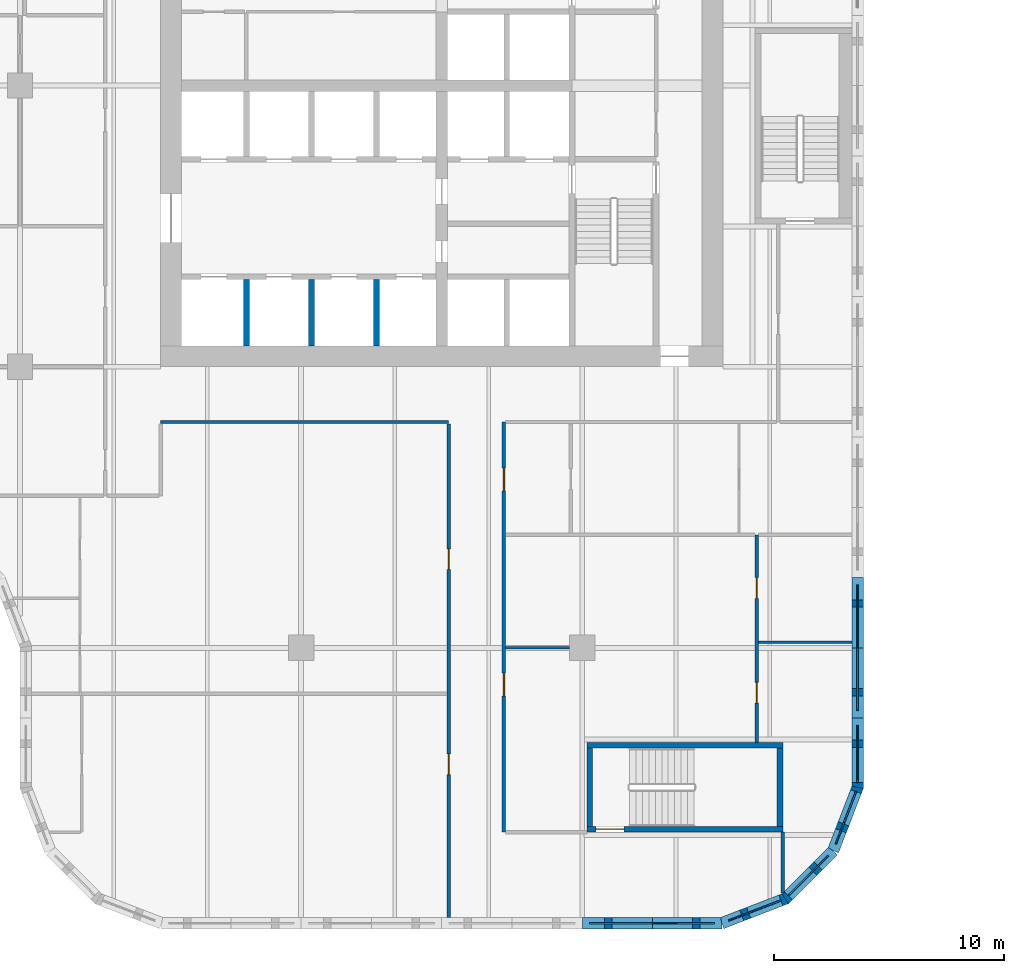
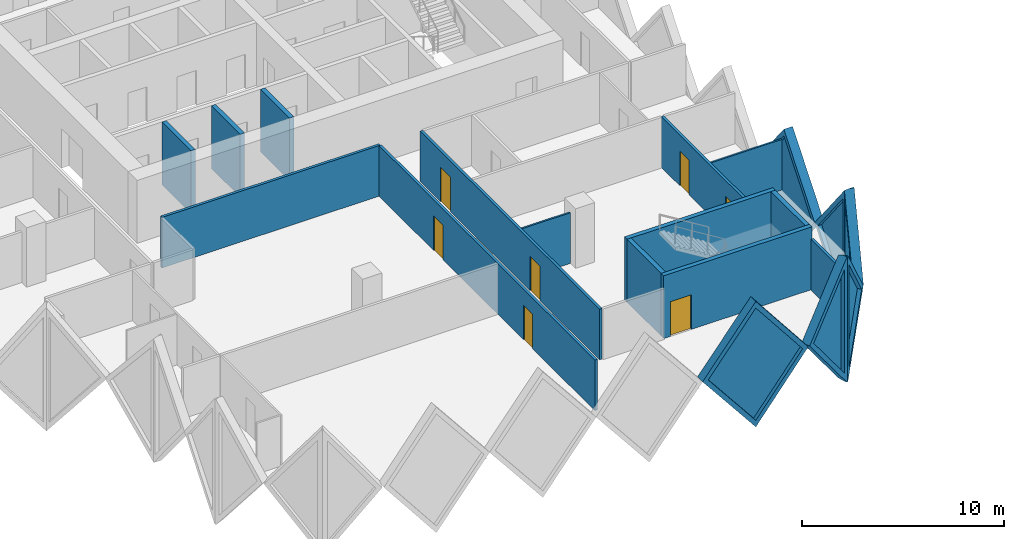
# One storey, part 6 of 19: 20 walls, 7 doors, 6 plates, 13 openings.
"""IFC4 building model written with IfcOpenShell, lengths in metres."""

from ifc_helpers import new_model, si_unit, direction, frame, frame_2d, origin, place, context, subcontext, project, spatial, polyline, rectangle, outline, extrude, faceted_brep, source, transform, mapped, material, layer, layer_set, type_object, element, fill, save


model = new_model("IFC4")

# Units and contexts
model_context = context("Model", 3, precision=1e-05, world=origin(), true_north=direction((0.0, 1.0)))
body_context = subcontext(model_context, "Body", "Model", "MODEL_VIEW")
ifc_project = project(units=[si_unit("LENGTHUNIT", "METRE"), si_unit("AREAUNIT", "SQUARE_METRE"), si_unit("VOLUMEUNIT", "CUBIC_METRE"), si_unit("PLANEANGLEUNIT", "RADIAN"), si_unit("MASSUNIT", "GRAM", prefix="KILO")], contexts=[model_context])

# Site, building, storey
site_placement = place(None, origin())
site = spatial("IfcSite", under=ifc_project, at=site_placement, CompositionType="ELEMENT")
building_placement = place(site_placement, origin())
building = spatial("IfcBuilding", under=site, at=building_placement, Name="Tessera Gate Towers", CompositionType="ELEMENT")
storey_placement = place(building_placement, frame((0.0, 0.0, 29.60009765625)))
storey = spatial("IfcBuildingStorey", under=building, at=storey_placement, Name="L06", CompositionType="ELEMENT", Elevation=29.60009765625)

# Walls
ifc_material_1 = material(Name="Concrete C40/50", Category="concrete")
ifc_layer_1 = layer(ifc_material_1, 0.25)
ifc_layer_set_1 = layer_set([ifc_layer_1], Name="CORE ENCLOSURE WALL 250")
wall_type_1 = type_object("IfcWallType", Name="CORE ENCLOSURE WALL 250", PredefinedType="SOLIDWALL", material=ifc_layer_set_1)
for number, where, z_axis, x_axis, name in (
    (1, (34.22509765625, 25.300048828125, 0.0), (0.0, 0.0, 1.0), (0.0, 1.0, 0.0), "L06 shaft and stair enclosure wall"),
    (2, (37.050048828125, 25.300048828125, 0.0), (0.0, 0.0, 1.0), (0.0, 1.0, 0.0), "L06 shaft and stair enclosure wall"),
    (3, (39.875, 25.300048828125, 0.0), (0.0, 0.0, 1.0), (0.0, 1.0, 0.0), "L06 shaft and stair enclosure wall"),
):
    element("IfcWall", number, at=place(storey_placement, frame(where, z_axis=z_axis, x_axis=x_axis)), inside=storey, type_object=wall_type_1, Name=name, PredefinedType="SOLIDWALL", context=body_context, shape_type="SweptSolid", body=[
        extrude(rectangle(XDim=2.875, YDim=0.25, at=frame_2d((1.4375, 0.0))), origin(), (0.0, 0.0, 1.0), 3.7998046875),
    ])

# Wall, opening, door
wall_1_placement = place(storey_placement, frame((57.5, 4.324951171875, 0.0), z_axis=(0.0, 0.0, 1.0), x_axis=(-1.0, 0.0, 0.0)))
wall_1 = element("IfcWall", 4, at=wall_1_placement, inside=storey, type_object=wall_type_1, Name="L06 ST4 enclosure wall", PredefinedType="SOLIDWALL", context=body_context, shape_type="SweptSolid", body=[
    extrude(rectangle(XDim=8.5, YDim=0.25, at=frame_2d((4.25, 0.0))), origin(), (0.0, 0.0, 1.0), 3.7998046875),
])
shared_shape_1 = source(origin(), body_context, "Body", "SweptSolid", [
    extrude(rectangle(XDim=1.199951171875, YDim=2.10009765625, at=frame_2d((0.60009765625, 1.050048828125))), frame((0.0, 0.135009765625, 0.0), z_axis=(0.0, -1.0, 0.0), x_axis=(1.0, 0.0, 0.0)), (0.0, 0.0, 1.0), 0.27001953125),
])
opening_1_placement = place(wall_1_placement, frame((6.89990234375, 0.0, 0.0)))
opening_1 = element("IfcOpeningElement", 5, at=opening_1_placement, cuts=wall_1, Name="Opening SD-ST4-1", PredefinedType="OPENING", context=body_context, shape_type="MappedRepresentation", body=[
    mapped(shared_shape_1, transform((0.0, 0.0, 0.0), scale=1.0)),
])
ifc_material_2 = material(Name="Hollow steel fire door", Category="steel")
door_type_1 = type_object("IfcDoorType", Name="CORE DOOR SD 1200x2100", OperationType="NOTDEFINED", PredefinedType="DOOR", material=ifc_material_2)
shared_shape_2 = source(origin(), body_context, "Body", "SweptSolid", [
    extrude(rectangle(XDim=1.199951171875, YDim=2.10009765625, at=frame_2d((0.60009765625, 1.050048828125))), frame((0.0, 0.02490234375, 0.0), z_axis=(0.0, -1.0, 0.0), x_axis=(1.0, 0.0, 0.0)), (0.0, 0.0, 1.0), 0.050048828125),
])
door_1_placement = place(opening_1_placement, origin())
door_1 = element("IfcDoor", 6, at=door_1_placement, inside=storey, type_object=door_type_1, Name="Stair door", OperationType="SINGLE_SWING_RIGHT", OverallHeight=2.10009765625, OverallWidth=1.199951171875, PredefinedType="DOOR", context=body_context, shape_type="MappedRepresentation", body=[
    mapped(shared_shape_2, transform((0.0, 0.0, 0.0), scale=1.0)),
])
fill(opening_1, door_1)

# Walls
wall_2_placement = place(storey_placement, frame((49.125, 4.449951171875, 0.0), z_axis=(0.0, 0.0, 1.0), x_axis=(0.0, 1.0, 0.0)))
element("IfcWall", 7, at=wall_2_placement, inside=storey, type_object=wall_type_1, Name="L06 ST4 enclosure wall", PredefinedType="SOLIDWALL", context=body_context, shape_type="SweptSolid", body=[
    extrude(rectangle(XDim=3.400146484375, YDim=0.25, at=frame_2d((1.7001953125, 0.0))), origin(), (0.0, 0.0, 1.0), 3.7998046875),
])
wall_3_placement = place(storey_placement, frame((49.0, 7.97509765625, 0.0), z_axis=(0.0, 0.0, 1.0), x_axis=(1.0, 0.0, 0.0)))
element("IfcWall", 8, at=wall_3_placement, inside=storey, type_object=wall_type_1, Name="L06 ST4 enclosure wall", PredefinedType="SOLIDWALL", context=body_context, shape_type="SweptSolid", body=[
    extrude(rectangle(XDim=8.5, YDim=0.25, at=frame_2d((4.25, 0.0))), origin(), (0.0, 0.0, 1.0), 3.7998046875),
])
wall_4_placement = place(storey_placement, frame((57.375, 7.85009765625, 0.0), z_axis=(0.0, 0.0, 1.0), x_axis=(0.0, -1.0, 0.0)))
element("IfcWall", 9, at=wall_4_placement, inside=storey, type_object=wall_type_1, Name="L06 ST4 enclosure wall", PredefinedType="SOLIDWALL", context=body_context, shape_type="SweptSolid", body=[
    extrude(rectangle(XDim=3.400146484375, YDim=0.25, at=frame_2d((1.7001953125, 0.0))), origin(), (0.0, 0.0, 1.0), 3.7998046875),
])

# Wall, openings, doors
ifc_material_3 = material(Name="Gypsum board on steel studs, mineral wool", Category="steel")
ifc_layer_2 = layer(ifc_material_3, 0.14990234375)
ifc_layer_set_2 = layer_set([ifc_layer_2], Name="CORRIDOR WALL 150")
wall_type_2 = type_object("IfcWallType", Name="CORRIDOR WALL 150", PredefinedType="PARTITIONING", material=ifc_layer_set_2)
wall_5_placement = place(storey_placement, frame((43.0, 0.5, 0.0), z_axis=(0.0, 0.0, 1.0), x_axis=(0.0, 1.0, 0.0)))
wall_5 = element("IfcWall", 10, at=wall_5_placement, inside=storey, type_object=wall_type_2, Name="T1-L06-PW-001", PredefinedType="PARTITIONING", context=body_context, shape_type="SweptSolid", body=[
    extrude(rectangle(XDim=21.424072265625, YDim=0.14990234375, at=frame_2d((10.7119140625, 0.0))), origin(), (0.0, 0.0, 1.0), 3.06689453125),
])
shared_shape_3 = source(origin(), body_context, "Body", "SweptSolid", [
    extrude(rectangle(XDim=0.89990234375, YDim=2.10009765625, at=frame_2d((0.449951171875, 1.050048828125))), frame((0.0, 0.0849609375, 0.0), z_axis=(0.0, -1.0, 0.0), x_axis=(1.0, 0.0, 0.0)), (0.0, 0.0, 1.0), 0.169921875),
])
opening_2_placement = place(wall_5_placement, frame((6.199951171875, 0.0, 0.0)))
opening_2 = element("IfcOpeningElement", 11, at=opening_2_placement, cuts=wall_5, Name="Opening D890FD60-A02-02", PredefinedType="OPENING", context=body_context, shape_type="MappedRepresentation", body=[
    mapped(shared_shape_3, transform((0.0, 0.0, 0.0), scale=1.0)),
])
opening_3_placement = place(wall_5_placement, frame((15.10009765625, 0.0, 0.0)))
opening_3 = element("IfcOpeningElement", 12, at=opening_3_placement, cuts=wall_5, Name="Opening D890FD60-A02-06", PredefinedType="OPENING", context=body_context, shape_type="MappedRepresentation", body=[
    mapped(shared_shape_3, transform((0.0, 0.0, 0.0), scale=1.0)),
])
ifc_material_4 = material(Name="Timber door leaf in steel frame", Category="steel")
door_type_2 = type_object("IfcDoorType", Name="CORRIDOR DOOR 900 FD60", OperationType="NOTDEFINED", PredefinedType="DOOR", material=ifc_material_4)
shared_shape_4 = source(origin(), body_context, "Body", "SweptSolid", [
    extrude(rectangle(XDim=0.89990234375, YDim=2.10009765625, at=frame_2d((0.449951171875, 1.050048828125))), frame((0.0, 0.02490234375, 0.0), z_axis=(0.0, -1.0, 0.0), x_axis=(1.0, 0.0, 0.0)), (0.0, 0.0, 1.0), 0.050048828125),
])
door_2_placement = place(opening_2_placement, origin())
door_2 = element("IfcDoor", 13, at=door_2_placement, inside=storey, type_object=door_type_2, Name="T1-L06-PD-019", OperationType="SINGLE_SWING_LEFT", OverallHeight=2.10009765625, OverallWidth=0.89990234375, PredefinedType="DOOR", context=body_context, shape_type="MappedRepresentation", body=[
    mapped(shared_shape_4, transform((0.0, 0.0, 0.0), scale=1.0)),
])
fill(opening_2, door_2)
door_3_placement = place(opening_3_placement, origin())
door_3 = element("IfcDoor", 14, at=door_3_placement, inside=storey, type_object=door_type_2, Name="T1-L06-PD-027", OperationType="SINGLE_SWING_LEFT", OverallHeight=2.10009765625, OverallWidth=0.89990234375, PredefinedType="DOOR", context=body_context, shape_type="MappedRepresentation", body=[
    mapped(shared_shape_4, transform((0.0, 0.0, 0.0), scale=1.0)),
])
fill(opening_3, door_3)

# Wall
wall_6_placement = place(storey_placement, frame((57.5, 1.55908203125, 0.0), z_axis=(0.0, 0.0, 1.0), x_axis=(0.0, 1.0, 0.0)))
element("IfcWall", 15, at=wall_6_placement, inside=storey, type_object=wall_type_2, Name="T1-L06-PW-002", PredefinedType="PARTITIONING", context=body_context, shape_type="SweptSolid", body=[
    extrude(rectangle(XDim=2.640869140625, YDim=0.14990234375, at=frame_2d((1.3203125, 0.0))), origin(), (0.0, 0.0, 1.0), 3.06689453125),
])

# Wall, openings, doors
wall_7_placement = place(storey_placement, frame((45.39990234375, 22.0, 0.0), z_axis=(0.0, 0.0, 1.0), x_axis=(0.0, -1.0, 0.0)))
wall_7 = element("IfcWall", 16, at=wall_7_placement, inside=storey, type_object=wall_type_2, Name="T1-L06-PW-005", PredefinedType="PARTITIONING", context=body_context, shape_type="SweptSolid", body=[
    extrude(rectangle(XDim=17.800048828125, YDim=0.14990234375, at=frame_2d((8.89990234375, 0.0))), origin(), (0.0, 0.0, 1.0), 3.06689453125),
])
shared_shape_5 = source(origin(), body_context, "Body", "SweptSolid", [
    extrude(rectangle(XDim=1.0, YDim=2.10009765625, at=frame_2d((0.5, 1.050048828125))), frame((0.0, 0.0849609375, 0.0), z_axis=(0.0, -1.0, 0.0), x_axis=(1.0, 0.0, 0.0)), (0.0, 0.0, 1.0), 0.169921875),
])
opening_4_placement = place(wall_7_placement, frame((1.9990234375, 0.0, 0.0)))
opening_4 = element("IfcOpeningElement", 17, at=opening_4_placement, cuts=wall_7, Name="Opening D2100FD60-A02-02", PredefinedType="OPENING", context=body_context, shape_type="MappedRepresentation", body=[
    mapped(shared_shape_5, transform((0.0, 0.0, 0.0), scale=1.0)),
])
opening_5_placement = place(wall_7_placement, frame((10.89990234375, 0.0, 0.0)))
opening_5 = element("IfcOpeningElement", 18, at=opening_5_placement, cuts=wall_7, Name="Opening D2100FD60-A02-07", PredefinedType="OPENING", context=body_context, shape_type="MappedRepresentation", body=[
    mapped(shared_shape_5, transform((0.0, 0.0, 0.0), scale=1.0)),
])
ifc_material_5 = material(Name="Timber door leaf in steel frame", Category="steel")
door_type_3 = type_object("IfcDoorType", Name="TENANCY ENTRANCE DOOR 1000 FD60", OperationType="NOTDEFINED", PredefinedType="DOOR", material=ifc_material_5)
shared_shape_6 = source(origin(), body_context, "Body", "SweptSolid", [
    extrude(rectangle(XDim=1.0, YDim=2.10009765625, at=frame_2d((0.5, 1.050048828125))), frame((0.0, 0.02490234375, 0.0), z_axis=(0.0, -1.0, 0.0), x_axis=(1.0, 0.0, 0.0)), (0.0, 0.0, 1.0), 0.050048828125),
])
door_4_placement = place(opening_4_placement, origin())
door_4 = element("IfcDoor", 19, at=door_4_placement, inside=storey, type_object=door_type_3, Name="T1-L06-PD-013", OperationType="SINGLE_SWING_RIGHT", OverallHeight=2.10009765625, OverallWidth=1.0, PredefinedType="DOOR", context=body_context, shape_type="MappedRepresentation", body=[
    mapped(shared_shape_6, transform((0.0, 0.0, 0.0), scale=1.0)),
])
fill(opening_4, door_4)
door_5_placement = place(opening_5_placement, origin())
door_5 = element("IfcDoor", 20, at=door_5_placement, inside=storey, type_object=door_type_3, Name="T1-L06-PD-031", OperationType="SINGLE_SWING_RIGHT", OverallHeight=2.10009765625, OverallWidth=1.0, PredefinedType="DOOR", context=body_context, shape_type="MappedRepresentation", body=[
    mapped(shared_shape_6, transform((0.0, 0.0, 0.0), scale=1.0)),
])
fill(opening_5, door_5)

# Walls
wall_8_placement = place(storey_placement, frame((30.5, 22.0, 0.0), z_axis=(0.0, 0.0, 1.0), x_axis=(1.0, 0.0, 0.0)))
element("IfcWall", 21, at=wall_8_placement, inside=storey, type_object=wall_type_2, Name="T1-L06-PW-024", PredefinedType="PARTITIONING", context=body_context, shape_type="SweptSolid", body=[
    extrude(rectangle(XDim=12.5, YDim=0.14990234375, at=frame_2d((6.25, 0.0))), origin(), (0.0, 0.0, 1.0), 3.06689453125),
])
ifc_material_6 = material(Name="Gypsum board on steel studs", Category="steel")
ifc_layer_3 = layer(ifc_material_6, 0.10009765625)
ifc_layer_set_3 = layer_set([ifc_layer_3], Name="PARTITION 100")
wall_type_3 = type_object("IfcWallType", Name="PARTITION 100", PredefinedType="PARTITIONING", material=ifc_layer_set_3)
wall_9_placement = place(storey_placement, frame((48.25, 12.199951171875, 0.0), z_axis=(0.0, 0.0, 1.0), x_axis=(-1.0, 0.0, 0.0)))
element("IfcWall", 22, at=wall_9_placement, inside=storey, type_object=wall_type_3, Name="T1-L06-PW-011", PredefinedType="PARTITIONING", context=body_context, shape_type="SweptSolid", body=[
    extrude(rectangle(XDim=2.77490234375, YDim=0.10009765625, at=frame_2d((1.387451171875, 0.0))), origin(), (0.0, 0.0, 1.0), 3.06689453125),
])
wall_10_placement = place(storey_placement, frame((56.450927734375, 12.447998046875, 0.0), z_axis=(0.0, 0.0, 1.0), x_axis=(1.0, 0.0, 0.0)))
element("IfcWall", 23, at=wall_10_placement, inside=storey, type_object=wall_type_3, Name="T1-L06-PW-012", PredefinedType="PARTITIONING", context=body_context, shape_type="SweptSolid", body=[
    extrude(rectangle(XDim=4.049072265625, YDim=0.10009765625, at=frame_2d((2.0244140625, 0.0))), origin(), (0.0, 0.0, 1.0), 3.06689453125),
])

# Wall, openings, doors
ifc_material_7 = material(Name="Gypsum board on steel studs, mineral wool", Category="steel")
ifc_layer_4 = layer(ifc_material_7, 0.14990234375)
ifc_layer_set_4 = layer_set([ifc_layer_4], Name="TENANCY WALL 150")
wall_type_4 = type_object("IfcWallType", Name="TENANCY WALL 150", PredefinedType="PARTITIONING", material=ifc_layer_set_4)
wall_11_placement = place(storey_placement, frame((56.375, 17.10009765625, 0.0), z_axis=(0.0, 0.0, 1.0), x_axis=(0.0, -1.0, 0.0)))
wall_11 = element("IfcWall", 24, at=wall_11_placement, inside=storey, type_object=wall_type_4, Name="T1-L06-PW-007", PredefinedType="PARTITIONING", context=body_context, shape_type="SweptSolid", body=[
    extrude(rectangle(XDim=9.0, YDim=0.14990234375, at=frame_2d((4.5, 0.0))), origin(), (0.0, 0.0, 1.0), 3.06689453125),
])
opening_6_placement = place(wall_11_placement, frame((6.39990234375, 0.0, 0.0)))
opening_6 = element("IfcOpeningElement", 25, at=opening_6_placement, cuts=wall_11, Name="Opening D190-A02-05", PredefinedType="OPENING", context=body_context, shape_type="MappedRepresentation", body=[
    mapped(shared_shape_3, transform((0.0, 0.0, 0.0), scale=1.0)),
])
opening_7_placement = place(wall_11_placement, frame((1.852294921875, 0.0, 0.0)))
opening_7 = element("IfcOpeningElement", 26, at=opening_7_placement, cuts=wall_11, Name="Opening D190-A02-07", PredefinedType="OPENING", context=body_context, shape_type="MappedRepresentation", body=[
    mapped(shared_shape_3, transform((0.0, 0.0, 0.0), scale=1.0)),
])
ifc_material_8 = material(Name="Timber door leaf in steel frame", Category="steel")
door_type_4 = type_object("IfcDoorType", Name="INTERNAL DOOR 900 NOT RATED", OperationType="NOTDEFINED", PredefinedType="DOOR", material=ifc_material_8)
door_6_placement = place(opening_6_placement, origin())
door_6 = element("IfcDoor", 27, at=door_6_placement, inside=storey, type_object=door_type_4, Name="T1-L06-PD-006", OperationType="SINGLE_SWING_RIGHT", OverallHeight=2.10009765625, OverallWidth=0.89990234375, PredefinedType="DOOR", context=body_context, shape_type="MappedRepresentation", body=[
    mapped(shared_shape_4, transform((0.0, 0.0, 0.0), scale=1.0)),
])
fill(opening_6, door_6)
door_7_placement = place(opening_7_placement, origin())
door_7 = element("IfcDoor", 28, at=door_7_placement, inside=storey, type_object=door_type_4, Name="T1-L06-PD-008", OperationType="SINGLE_SWING_RIGHT", OverallHeight=2.10009765625, OverallWidth=0.89990234375, PredefinedType="DOOR", context=body_context, shape_type="MappedRepresentation", body=[
    mapped(shared_shape_4, transform((0.0, 0.0, 0.0), scale=1.0)),
])
fill(opening_7, door_7)

# Wall, opening, plate
ifc_material_9 = material(Name="Precast concrete C60/75 white", Category="concrete")
ifc_layer_5 = layer(ifc_material_9, 0.5)
ifc_layer_set_5 = layer_set([ifc_layer_5], Name="TS1 tessera")
wall_type_5 = type_object("IfcWallType", Name="TS1 tessera", PredefinedType="SOLIDWALL", material=ifc_layer_set_5)
shared_shape_7 = source(origin(), body_context, "Body", "SweptSolid", [
    extrude(outline(polyline([(3.050048828125, 0.0), (6.10009765625, 3.800048828125), (3.050048828125, 7.599853515625), (0.0, 3.800048828125), (3.050048828125, 0.0)])), frame((0.0, 0.25, 0.0), z_axis=(0.0, -1.0, 0.0), x_axis=(1.0, 0.0, 0.0)), (0.0, 0.0, 1.0), 0.5),
])
wall_12_placement = place(storey_placement, frame((60.75, 9.14990234375, -3.800048828125), z_axis=(0.0, 0.0, 1.0), x_axis=(0.0, 1.0, 0.0)))
wall_12 = element("IfcWall", 29, at=wall_12_placement, inside=storey, type_object=wall_type_5, Name="Precast tessera T1 TS1-0027", PredefinedType="SOLIDWALL", context=body_context, shape_type="MappedRepresentation", body=[
    mapped(shared_shape_7, transform((0.0, 0.0, 0.0), scale=1.0)),
])
shared_shape_8 = source(origin(), body_context, "Body", "SweptSolid", [
    extrude(outline(polyline([(3.050048828125, 0.3994140625), (5.779541015625, 3.800048828125), (3.050048828125, 7.200439453125), (0.320556640625, 3.800048828125), (3.050048828125, 0.3994140625)])), frame((0.0, 0.260009765625, 0.0), z_axis=(0.0, -1.0, 0.0), x_axis=(1.0, 0.0, 0.0)), (0.0, 0.0, 1.0), 0.52001953125),
])
opening_8_placement = place(wall_12_placement, origin())
opening_8 = element("IfcOpeningElement", 30, at=opening_8_placement, cuts=wall_12, Name="Opening T1-PL2-0055", PredefinedType="OPENING", context=body_context, shape_type="MappedRepresentation", body=[
    mapped(shared_shape_8, transform((0.0, 0.0, 0.0), scale=1.0)),
])
ifc_material_10 = material(Name="Low-e laminated glass", Category="glass")
ifc_layer_6 = layer(ifc_material_10, 0.06005859375)
ifc_layer_set_6 = layer_set([ifc_layer_6], Name="PL2 rhombic pane")
plate_type = type_object("IfcPlateType", Name="PL2 rhombic pane", PredefinedType="SHEET", material=ifc_layer_set_6)
shared_shape_9 = source(origin(), body_context, "Body", "SweptSolid", [
    extrude(outline(polyline([(3.050048828125, 0.3994140625), (5.779541015625, 3.800048828125), (3.050048828125, 7.200439453125), (0.320556640625, 3.800048828125), (3.050048828125, 0.3994140625)])), frame((0.0, 0.030029296875, 0.0), z_axis=(0.0, -1.0, 0.0), x_axis=(1.0, 0.0, 0.0)), (0.0, 0.0, 1.0), 0.06005859375),
])
plate_1_placement = place(opening_8_placement, origin())
plate_1 = element("IfcPlate", 31, at=plate_1_placement, inside=storey, type_object=plate_type, Name="Glass pane T1 PL2-0055", PredefinedType="SHEET", context=body_context, shape_type="MappedRepresentation", body=[
    mapped(shared_shape_9, transform((0.0, 0.0, 0.0), scale=1.0)),
])
fill(opening_8, plate_1)

shared_shape_10 = source(origin(), body_context, "Body", "Brep", [
    faceted_brep([(3.050048828125, -0.25, 0.0), (6.053466796875, -0.25, 3.800048828125), (3.050048828125, -0.25, 7.599853515625), (0.0, -0.25, 3.800048828125), (0.0, 0.25, 3.800048828125), (3.050048828125, 0.25, 7.599853515625), (6.0068359375, 0.25, 3.85888671875), (6.0068359375, 0.25, 3.7412109375), (3.050048828125, 0.25, 0.0), (6.053466796875, 0.0, 3.800048828125)], [[[0, 1, 2, 3]], [[4, 5, 6, 7, 8]], [[8, 7, 9, 1, 0]], [[6, 5, 2, 1, 9]], [[5, 4, 3, 2]], [[4, 8, 0, 3]], [[7, 6, 9]]]),
])
wall_13_placement = place(storey_placement, frame((48.800048828125, 0.25, -3.800048828125), z_axis=(0.0, 0.0, 1.0), x_axis=(1.0, 0.0, 0.0)))
wall_13 = element("IfcWall", 32, at=wall_13_placement, inside=storey, type_object=wall_type_5, Name="Precast tessera T1 TS1-0026", PredefinedType="SOLIDWALL", context=body_context, shape_type="MappedRepresentation", body=[
    mapped(shared_shape_10, transform((0.0, 0.0, 0.0), scale=1.0)),
])
shared_shape_11 = source(origin(), body_context, "Body", "SweptSolid", [
    extrude(outline(polyline([(3.048583984375, 0.401123046875), (5.73486328125, 3.800048828125), (3.048583984375, 7.19873046875), (0.320556640625, 3.800048828125), (3.048583984375, 0.401123046875)])), frame((0.0, 0.260009765625, 0.0), z_axis=(0.0, -1.0, 0.0), x_axis=(1.0, 0.0, 0.0)), (0.0, 0.0, 1.0), 0.52001953125),
])
opening_9_placement = place(wall_13_placement, origin())
opening_9 = element("IfcOpeningElement", 33, at=opening_9_placement, cuts=wall_13, Name="Opening T1-PL2-0050", PredefinedType="OPENING", context=body_context, shape_type="MappedRepresentation", body=[
    mapped(shared_shape_11, transform((0.0, 0.0, 0.0), scale=1.0)),
])
shared_shape_12 = source(origin(), body_context, "Body", "SweptSolid", [
    extrude(outline(polyline([(3.048583984375, 0.401123046875), (5.73486328125, 3.800048828125), (3.048583984375, 7.19873046875), (0.320556640625, 3.800048828125), (3.048583984375, 0.401123046875)])), frame((0.0, 0.030029296875, 0.0), z_axis=(0.0, -1.0, 0.0), x_axis=(1.0, 0.0, 0.0)), (0.0, 0.0, 1.0), 0.06005859375),
])
plate_2_placement = place(opening_9_placement, origin())
plate_2 = element("IfcPlate", 34, at=plate_2_placement, inside=storey, type_object=plate_type, Name="Glass pane T1 PL2-0050", PredefinedType="SHEET", context=body_context, shape_type="MappedRepresentation", body=[
    mapped(shared_shape_12, transform((0.0, 0.0, 0.0), scale=1.0)),
])
fill(opening_9, plate_2)

ifc_material_11 = material(Name="Precast concrete C60/75 white", Category="concrete")
ifc_layer_7 = layer(ifc_material_11, 0.5)
ifc_layer_set_7 = layer_set([ifc_layer_7], Name="TS3 corner tessera")
wall_type_6 = type_object("IfcWallType", Name="TS3 corner tessera", PredefinedType="SOLIDWALL", material=ifc_layer_set_7)
shared_shape_13 = source(origin(), body_context, "Body", "Brep", [
    faceted_brep([(2.950439453125, -0.25, 0.0), (3.00341796875, -0.25, 0.068359375), (3.00341796875, -0.25, 7.531494140625), (2.950439453125, -0.25, 7.599853515625), (0.0, -0.25, 3.800048828125), (0.046630859375, 0.25, 3.860107421875), (2.897705078125, 0.25, 7.53173828125), (2.897705078125, 0.25, 0.068115234375), (0.046630859375, 0.25, 3.739990234375), (2.950439453125, 0.00048828125, 0.0), (2.950439453125, 0.00048828125, 7.599853515625), (0.0, 0.0, 3.800048828125)], [[[0, 1, 2, 3, 4]], [[5, 6, 7, 8]], [[1, 0, 9]], [[10, 3, 2]], [[6, 5, 11, 4, 3, 10]], [[8, 7, 9, 0, 4, 11]], [[8, 11, 5]], [[1, 9, 7, 6, 10, 2]]]),
])
wall_14_placement = place(storey_placement, frame((54.853515625, 0.25, -3.800048828125), z_axis=(0.0, 0.0, 1.0), x_axis=(0.932970071518, 0.359953949349, 0.0)))
wall_14 = element("IfcWall", 35, at=wall_14_placement, inside=storey, type_object=wall_type_6, Name="Precast corner tessera T1 TS3-0097", PredefinedType="SOLIDWALL", context=body_context, shape_type="MappedRepresentation", body=[
    mapped(shared_shape_13, transform((0.0, 0.0, 0.0), scale=1.0)),
])
shared_shape_14 = source(origin(), body_context, "Body", "SweptSolid", [
    extrude(outline(polyline([(2.75048828125, 6.934814453125), (0.31640625, 3.800048828125), (2.75048828125, 0.665283203125), (2.75048828125, 6.934814453125)])), frame((0.0, 0.260009765625, 0.0), z_axis=(0.0, -1.0, 0.0), x_axis=(1.0, 0.0, 0.0)), (0.0, 0.0, 1.0), 0.52001953125),
])
opening_10_placement = place(wall_14_placement, origin())
opening_10 = element("IfcOpeningElement", 36, at=opening_10_placement, cuts=wall_14, Name="Opening T1-PL2-0051", PredefinedType="OPENING", context=body_context, shape_type="MappedRepresentation", body=[
    mapped(shared_shape_14, transform((0.0, 0.0, 0.0), scale=1.0)),
])
shared_shape_15 = source(origin(), body_context, "Body", "SweptSolid", [
    extrude(outline(polyline([(2.75048828125, 6.934814453125), (0.31640625, 3.800048828125), (2.75048828125, 0.665283203125), (2.75048828125, 6.934814453125)])), frame((0.0, 0.030029296875, 0.0), z_axis=(0.0, -1.0, 0.0), x_axis=(1.0, 0.0, 0.0)), (0.0, 0.0, 1.0), 0.06005859375),
])
plate_3_placement = place(opening_10_placement, origin())
plate_3 = element("IfcPlate", 37, at=plate_3_placement, inside=storey, type_object=plate_type, Name="Glass pane T1 PL2-0051", PredefinedType="SHEET", context=body_context, shape_type="MappedRepresentation", body=[
    mapped(shared_shape_15, transform((0.0, 0.0, 0.0), scale=1.0)),
])
fill(opening_10, plate_3)

shared_shape_16 = source(origin(), body_context, "Body", "Brep", [
    faceted_brep([(0.052978515625, -0.25, 0.0), (2.9970703125, -0.25, 3.800048828125), (0.052978515625, -0.25, 7.599853515625), (0.0, -0.25, 7.53173828125), (0.0, -0.25, 0.068115234375), (0.10595703125, 0.25, 7.531494140625), (2.944091796875, 0.25, 3.8681640625), (2.944091796875, 0.25, 3.73193359375), (0.10595703125, 0.25, 0.068359375), (2.9970703125, 0.000244140625, 3.800048828125), (0.052978515625, 0.0, 0.0), (0.052978515625, 0.0, 7.599853515625)], [[[0, 1, 2, 3, 4]], [[5, 6, 7, 8]], [[8, 7, 9, 1, 0, 10]], [[6, 5, 11, 2, 1, 9]], [[3, 2, 11]], [[10, 0, 4]], [[8, 10, 4, 3, 11, 5]], [[7, 6, 9]]]),
])
wall_15_placement = place(storey_placement, frame((57.56884765625, 1.2744140625, -3.800048828125), z_axis=(0.0, 0.0, 1.0), x_axis=(0.707066050402, 0.707147509625, 0.0)))
wall_15 = element("IfcWall", 38, at=wall_15_placement, inside=storey, type_object=wall_type_6, Name="Precast corner tessera T1 TS3-0098", PredefinedType="SOLIDWALL", context=body_context, shape_type="MappedRepresentation", body=[
    mapped(shared_shape_16, transform((0.0, 0.0, 0.0), scale=1.0)),
])
shared_shape_17 = source(origin(), body_context, "Body", "SweptSolid", [
    extrude(outline(polyline([(0.2529296875, 0.666259765625), (2.680908203125, 3.800048828125), (0.2529296875, 6.93359375), (0.2529296875, 0.666259765625)])), frame((0.0, 0.260009765625, 0.0), z_axis=(0.0, -1.0, 0.0), x_axis=(1.0, 0.0, 0.0)), (0.0, 0.0, 1.0), 0.52001953125),
])
opening_11_placement = place(wall_15_placement, origin())
opening_11 = element("IfcOpeningElement", 39, at=opening_11_placement, cuts=wall_15, Name="Opening T1-PL2-0052", PredefinedType="OPENING", context=body_context, shape_type="MappedRepresentation", body=[
    mapped(shared_shape_17, transform((0.0, 0.0, 0.0), scale=1.0)),
])
shared_shape_18 = source(origin(), body_context, "Body", "SweptSolid", [
    extrude(outline(polyline([(0.2529296875, 0.666259765625), (2.680908203125, 3.800048828125), (0.2529296875, 6.93359375), (0.2529296875, 0.666259765625)])), frame((0.0, 0.030029296875, 0.0), z_axis=(0.0, -1.0, 0.0), x_axis=(1.0, 0.0, 0.0)), (0.0, 0.0, 1.0), 0.06005859375),
])
plate_4_placement = place(opening_11_placement, origin())
plate_4 = element("IfcPlate", 40, at=plate_4_placement, inside=storey, type_object=plate_type, Name="Glass pane T1 PL2-0052", PredefinedType="SHEET", context=body_context, shape_type="MappedRepresentation", body=[
    mapped(shared_shape_18, transform((0.0, 0.0, 0.0), scale=1.0)),
])
fill(opening_11, plate_4)

shared_shape_19 = source(origin(), body_context, "Body", "Brep", [
    faceted_brep([(2.950439453125, -0.25, 0.0), (2.9970703125, -0.25, 0.05908203125), (2.9970703125, -0.25, 7.540771484375), (2.950439453125, -0.25, 7.599853515625), (0.0, -0.25, 3.800048828125), (0.052978515625, 0.25, 3.8681640625), (2.904052734375, 0.25, 7.5400390625), (2.904052734375, 0.25, 0.059814453125), (0.052978515625, 0.25, 3.73193359375), (2.950439453125, 0.00048828125, 0.0), (2.950439453125, 0.00048828125, 7.599853515625), (0.0, 0.0, 3.800048828125)], [[[0, 1, 2, 3, 4]], [[5, 6, 7, 8]], [[1, 0, 9]], [[10, 3, 2]], [[6, 5, 11, 4, 3, 10]], [[8, 7, 9, 0, 4, 11]], [[8, 11, 5]], [[1, 9, 7, 6, 10, 2]]]),
])
wall_16_placement = place(storey_placement, frame((59.68798828125, 3.393798828125, -3.800048828125), z_axis=(0.0, 0.0, 1.0), x_axis=(0.359972353723, 0.932962970624, 0.0)))
wall_16 = element("IfcWall", 41, at=wall_16_placement, inside=storey, type_object=wall_type_6, Name="Precast corner tessera T1 TS3-0099", PredefinedType="SOLIDWALL", context=body_context, shape_type="MappedRepresentation", body=[
    mapped(shared_shape_19, transform((0.0, 0.0, 0.0), scale=1.0)),
])
opening_12_placement = place(wall_16_placement, origin())
opening_12 = element("IfcOpeningElement", 42, at=opening_12_placement, cuts=wall_16, Name="Opening T1-PL2-0053", PredefinedType="OPENING", context=body_context, shape_type="MappedRepresentation", body=[
    mapped(shared_shape_14, transform((0.0, 0.0, 0.0), scale=1.0)),
])
plate_5_placement = place(opening_12_placement, origin())
plate_5 = element("IfcPlate", 43, at=plate_5_placement, inside=storey, type_object=plate_type, Name="Glass pane T1 PL2-0053", PredefinedType="SHEET", context=body_context, shape_type="MappedRepresentation", body=[
    mapped(shared_shape_15, transform((0.0, 0.0, 0.0), scale=1.0)),
])
fill(opening_12, plate_5)

shared_shape_20 = source(origin(), body_context, "Body", "Brep", [
    faceted_brep([(0.046630859375, -0.25, 0.0), (3.050048828125, -0.25, 3.800048828125), (0.046630859375, -0.25, 7.599853515625), (0.0, -0.25, 7.539794921875), (0.0, -0.25, 0.06005859375), (0.09326171875, 0.25, 7.541015625), (3.050048828125, 0.25, 3.800048828125), (0.09326171875, 0.25, 0.058837890625), (0.046630859375, 0.0, 0.0), (0.046630859375, 0.0, 7.599853515625)], [[[0, 1, 2, 3, 4]], [[5, 6, 7]], [[7, 6, 1, 0, 8]], [[6, 5, 9, 2, 1]], [[3, 2, 9]], [[8, 0, 4]], [[7, 8, 4, 3, 9, 5]]]),
])
wall_17_placement = place(storey_placement, frame((60.75, 6.099853515625, -3.800048828125), z_axis=(0.0, 0.0, 1.0), x_axis=(0.0, 1.0, 0.0)))
wall_17 = element("IfcWall", 44, at=wall_17_placement, inside=storey, type_object=wall_type_6, Name="Precast corner tessera T1 TS3-0100", PredefinedType="SOLIDWALL", context=body_context, shape_type="MappedRepresentation", body=[
    mapped(shared_shape_20, transform((0.0, 0.0, 0.0), scale=1.0)),
])
shared_shape_21 = source(origin(), body_context, "Body", "SweptSolid", [
    extrude(outline(polyline([(0.24658203125, 0.65625), (2.7314453125, 3.800048828125), (0.24658203125, 6.94384765625), (0.24658203125, 0.65625)])), frame((0.0, 0.260009765625, 0.0), z_axis=(0.0, -1.0, 0.0), x_axis=(1.0, 0.0, 0.0)), (0.0, 0.0, 1.0), 0.52001953125),
])
opening_13_placement = place(wall_17_placement, origin())
opening_13 = element("IfcOpeningElement", 45, at=opening_13_placement, cuts=wall_17, Name="Opening T1-PL2-0054", PredefinedType="OPENING", context=body_context, shape_type="MappedRepresentation", body=[
    mapped(shared_shape_21, transform((0.0, 0.0, 0.0), scale=1.0)),
])
shared_shape_22 = source(origin(), body_context, "Body", "SweptSolid", [
    extrude(outline(polyline([(0.24658203125, 0.65625), (2.7314453125, 3.800048828125), (0.24658203125, 6.94384765625), (0.24658203125, 0.65625)])), frame((0.0, 0.030029296875, 0.0), z_axis=(0.0, -1.0, 0.0), x_axis=(1.0, 0.0, 0.0)), (0.0, 0.0, 1.0), 0.06005859375),
])
plate_6_placement = place(opening_13_placement, origin())
plate_6 = element("IfcPlate", 46, at=plate_6_placement, inside=storey, type_object=plate_type, Name="Glass pane T1 PL2-0054", PredefinedType="SHEET", context=body_context, shape_type="MappedRepresentation", body=[
    mapped(shared_shape_22, transform((0.0, 0.0, 0.0), scale=1.0)),
])
fill(opening_13, plate_6)

save(model, "model.ifc")
